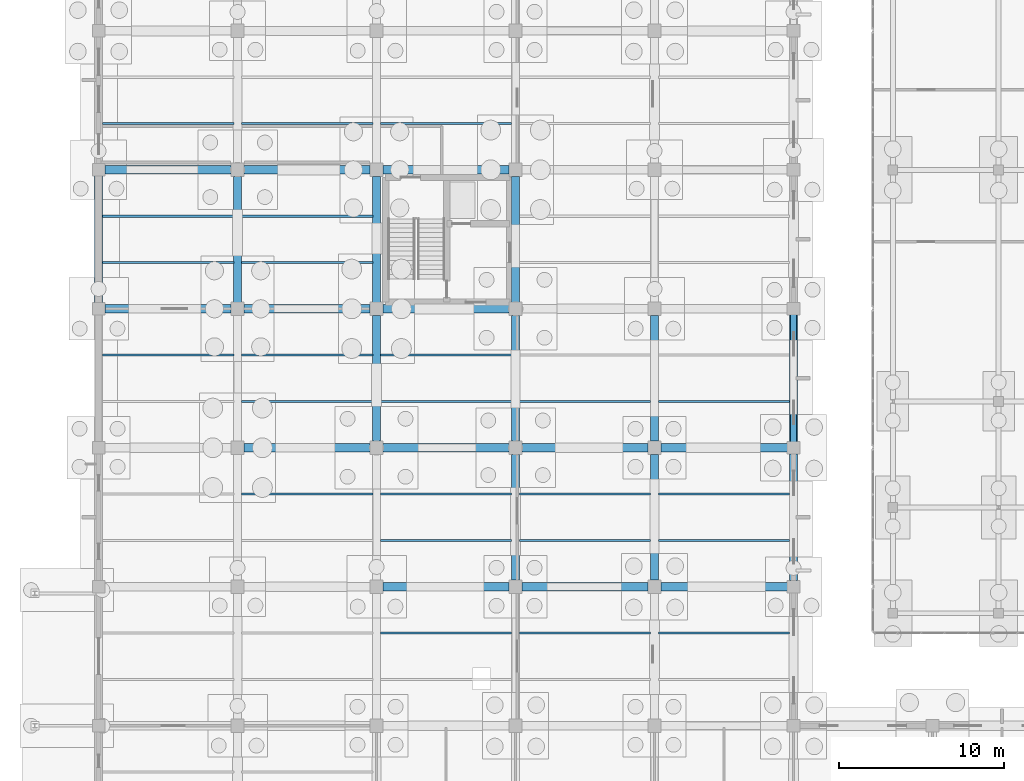
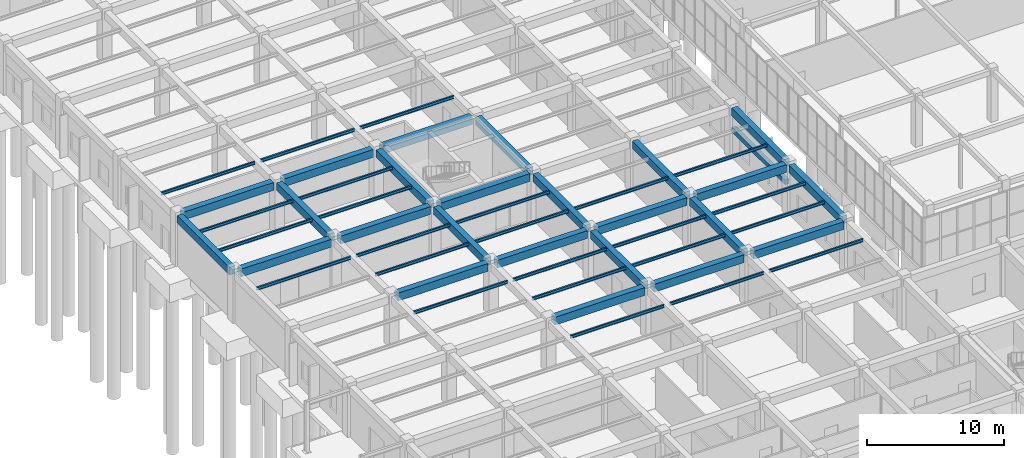
# One storey, part 49 of 192: 49 beams.
"""IFC4 building model written with IfcOpenShell, lengths in metres."""

from ifc_helpers import new_model, si_unit, direction, frame, origin, origin_2d, place, context, subcontext, project, spatial, rectangle, i_section, extrude, material, material_profile, profile_set, type_object, element, save


model = new_model("IFC4")

# Units and contexts
model_context = context("Model", 3, precision=1e-05, world=origin(), true_north=direction((0.0, 1.0)))
body_context = subcontext(model_context, "Body", "Model", "MODEL_VIEW")
ifc_project = project(units=[si_unit("LENGTHUNIT", "METRE"), si_unit("AREAUNIT", "SQUARE_METRE"), si_unit("VOLUMEUNIT", "CUBIC_METRE"), si_unit("PLANEANGLEUNIT", "RADIAN"), si_unit("MASSUNIT", "GRAM", prefix="KILO")], contexts=[model_context])

# Site, building, storey
site_placement = place(None, origin())
site = spatial("IfcSite", under=ifc_project, at=site_placement, CompositionType="ELEMENT")
building_placement = place(site_placement, origin())
building = spatial("IfcBuilding", under=site, at=building_placement, Name="Trelvath General Hospital", CompositionType="ELEMENT")
storey_placement = place(building_placement, origin())
storey = spatial("IfcBuildingStorey", under=building, at=storey_placement, Name="L00", CompositionType="ELEMENT", Elevation=0.0)

# Beams
ifc_material_1 = material(Name="Concrete C35/45", Category="concrete")
ifc_material_profile_1 = material_profile(ifc_material_1, rectangle(XDim=0.47998046875, YDim=0.679931640625, at=origin_2d()), Name="RCB480x680")
ifc_profile_set_1 = profile_set([ifc_material_profile_1], Name="Concrete C35/45")
beam_type_1 = type_object("IfcBeamType", Name="Beam RC480x680", PredefinedType="BEAM", material=ifc_profile_set_1)
beam_1_placement = place(storey_placement, frame((0.0, 50.77490234375, 4.179931640625), z_axis=(0.0, 1.0, 0.0), x_axis=(-1.0, 0.0, 0.0)))
element("IfcBeam", 1, at=beam_1_placement, inside=storey, type_object=beam_type_1, Name="Grid Beam BY-000G", PredefinedType="BEAM", context=body_context, shape_type="SweptSolid", body=[
    extrude(rectangle(XDim=0.47998046875, YDim=0.679931640625, at=origin_2d()), origin(), (0.0, 0.0, 1.0), 7.650146484375),
])
beam_2_placement = place(storey_placement, frame((8.39990234375, 50.794921875, 4.179931640625), z_axis=(0.0, 1.0, 0.0), x_axis=(-1.0, 0.0, 0.0)))
element("IfcBeam", 2, at=beam_2_placement, inside=storey, type_object=beam_type_1, Name="Grid Beam BY-001G", PredefinedType="BEAM", context=body_context, shape_type="SweptSolid", body=[
    extrude(rectangle(XDim=0.47998046875, YDim=0.679931640625, at=origin_2d()), origin(), (0.0, 0.0, 1.0), 7.610107421875),
])
beam_3_placement = place(storey_placement, frame((16.800048828125, 42.39501953125, 4.179931640625), z_axis=(0.0, 1.0, 0.0), x_axis=(-1.0, 0.0, 0.0)))
element("IfcBeam", 3, at=beam_3_placement, inside=storey, type_object=beam_type_1, Name="Grid Beam BY-002F", PredefinedType="BEAM", context=body_context, shape_type="SweptSolid", body=[
    extrude(rectangle(XDim=0.47998046875, YDim=0.679931640625, at=origin_2d()), origin(), (0.0, 0.0, 1.0), 7.60986328125),
])
beam_4_placement = place(storey_placement, frame((16.800048828125, 50.794921875, 4.179931640625), z_axis=(0.0, 1.0, 0.0), x_axis=(-1.0, 0.0, 0.0)))
element("IfcBeam", 4, at=beam_4_placement, inside=storey, type_object=beam_type_1, Name="Grid Beam BY-002G", PredefinedType="BEAM", context=body_context, shape_type="SweptSolid", body=[
    extrude(rectangle(XDim=0.47998046875, YDim=0.679931640625, at=origin_2d()), origin(), (0.0, 0.0, 1.0), 7.610107421875),
])
for number, where, z_axis, x_axis, name in (
    (5, (25.199951171875, 33.9951171875, 4.179931640625), (0.0, 1.0, 0.0), (-1.0, 0.0, 0.0), "Grid Beam BY-003E"),
    (6, (25.199951171875, 42.39501953125, 4.179931640625), (0.0, 1.0, 0.0), (-1.0, 0.0, 0.0), "Grid Beam BY-003F"),
):
    element("IfcBeam", number, at=place(storey_placement, frame(where, z_axis=z_axis, x_axis=x_axis)), inside=storey, type_object=beam_type_1, Name=name, PredefinedType="BEAM", context=body_context, shape_type="SweptSolid", body=[
        extrude(rectangle(XDim=0.47998046875, YDim=0.679931640625, at=origin_2d()), origin(), (0.0, 0.0, 1.0), 7.60986328125),
    ])
beam_5_placement = place(storey_placement, frame((25.199951171875, 50.794921875, 4.179931640625), z_axis=(0.0, 1.0, 0.0), x_axis=(-1.0, 0.0, 0.0)))
element("IfcBeam", 7, at=beam_5_placement, inside=storey, type_object=beam_type_1, Name="Grid Beam BY-003G", PredefinedType="BEAM", context=body_context, shape_type="SweptSolid", body=[
    extrude(rectangle(XDim=0.47998046875, YDim=0.679931640625, at=origin_2d()), origin(), (0.0, 0.0, 1.0), 7.610107421875),
])
for number, where, z_axis, x_axis, name in (
    (8, (33.60009765625, 33.9951171875, 4.179931640625), (0.0, 1.0, 0.0), (-1.0, 0.0, 0.0), "Grid Beam BY-004E"),
    (9, (33.60009765625, 42.39501953125, 4.179931640625), (0.0, 1.0, 0.0), (-1.0, 0.0, 0.0), "Grid Beam BY-004F"),
):
    element("IfcBeam", number, at=place(storey_placement, frame(where, z_axis=z_axis, x_axis=x_axis)), inside=storey, type_object=beam_type_1, Name=name, PredefinedType="BEAM", context=body_context, shape_type="SweptSolid", body=[
        extrude(rectangle(XDim=0.47998046875, YDim=0.679931640625, at=origin_2d()), origin(), (0.0, 0.0, 1.0), 7.60986328125),
    ])
for number, where, z_axis, x_axis, name in (
    (10, (42.0, 33.97509765625, 4.179931640625), (0.0, 1.0, 0.0), (-1.0, 0.0, 0.0), "Grid Beam BY-005E"),
    (11, (42.0, 42.375, 4.179931640625), (0.0, 1.0, 0.0), (-1.0, 0.0, 0.0), "Grid Beam BY-005F"),
):
    element("IfcBeam", number, at=place(storey_placement, frame(where, z_axis=z_axis, x_axis=x_axis)), inside=storey, type_object=beam_type_1, Name=name, PredefinedType="BEAM", context=body_context, shape_type="SweptSolid", body=[
        extrude(rectangle(XDim=0.47998046875, YDim=0.679931640625, at=origin_2d()), origin(), (0.0, 0.0, 1.0), 7.64990234375),
    ])
ifc_material_2 = material(Name="Concrete C35/45", Category="concrete")
ifc_material_profile_2 = material_profile(ifc_material_2, rectangle(XDim=0.5, YDim=0.699951171875, at=origin_2d()), Name="RCB500x700")
ifc_profile_set_2 = profile_set([ifc_material_profile_2], Name="Concrete C35/45")
beam_type_2 = type_object("IfcBeamType", Name="Beam RC500x700", PredefinedType="BEAM", material=ifc_profile_set_2)
for number, where, z_axis, x_axis, name in (
    (12, (0.375, 50.39990234375, 4.169921875), (1.0, 0.0, 0.0), (0.0, 1.0, 0.0), "Grid Beam BX-000G"),
    (13, (0.375, 58.800048828125, 4.169921875), (1.0, 0.0, 0.0), (0.0, 1.0, 0.0), "Grid Beam BX-000H"),
):
    element("IfcBeam", number, at=place(storey_placement, frame(where, z_axis=z_axis, x_axis=x_axis)), inside=storey, type_object=beam_type_2, Name=name, PredefinedType="BEAM", context=body_context, shape_type="SweptSolid", body=[
        extrude(rectangle(XDim=0.5, YDim=0.699951171875, at=origin_2d()), origin(), (0.0, 0.0, 1.0), 7.6298828125),
    ])
for number, where, z_axis, x_axis, name in (
    (14, (8.794921875, 42.0, 4.169921875), (1.0, 0.0, 0.0), (0.0, 1.0, 0.0), "Grid Beam BX-001F"),
    (15, (8.794921875, 50.39990234375, 4.169921875), (1.0, 0.0, 0.0), (0.0, 1.0, 0.0), "Grid Beam BX-001G"),
    (16, (8.794921875, 58.800048828125, 4.169921875), (1.0, 0.0, 0.0), (0.0, 1.0, 0.0), "Grid Beam BX-001H"),
):
    element("IfcBeam", number, at=place(storey_placement, frame(where, z_axis=z_axis, x_axis=x_axis)), inside=storey, type_object=beam_type_2, Name=name, PredefinedType="BEAM", context=body_context, shape_type="SweptSolid", body=[
        extrude(rectangle(XDim=0.5, YDim=0.699951171875, at=origin_2d()), origin(), (0.0, 0.0, 1.0), 7.610107421875),
    ])
for number, where, z_axis, x_axis, name in (
    (17, (17.195068359375, 33.60009765625, 4.169921875), (1.0, 0.0, 0.0), (0.0, 1.0, 0.0), "Grid Beam BX-002E"),
    (18, (17.195068359375, 42.0, 4.169921875), (1.0, 0.0, 0.0), (0.0, 1.0, 0.0), "Grid Beam BX-002F"),
    (19, (17.195068359375, 50.39990234375, 4.169921875), (1.0, 0.0, 0.0), (0.0, 1.0, 0.0), "Grid Beam BX-002G"),
    (20, (17.195068359375, 58.800048828125, 4.169921875), (1.0, 0.0, 0.0), (0.0, 1.0, 0.0), "Grid Beam BX-002H"),
):
    element("IfcBeam", number, at=place(storey_placement, frame(where, z_axis=z_axis, x_axis=x_axis)), inside=storey, type_object=beam_type_2, Name=name, PredefinedType="BEAM", context=body_context, shape_type="SweptSolid", body=[
        extrude(rectangle(XDim=0.5, YDim=0.699951171875, at=origin_2d()), origin(), (0.0, 0.0, 1.0), 7.60986328125),
    ])
for number, where, z_axis, x_axis, name in (
    (21, (25.594970703125, 33.60009765625, 4.169921875), (1.0, 0.0, 0.0), (0.0, 1.0, 0.0), "Grid Beam BX-003E"),
    (22, (25.594970703125, 42.0, 4.169921875), (1.0, 0.0, 0.0), (0.0, 1.0, 0.0), "Grid Beam BX-003F"),
):
    element("IfcBeam", number, at=place(storey_placement, frame(where, z_axis=z_axis, x_axis=x_axis)), inside=storey, type_object=beam_type_2, Name=name, PredefinedType="BEAM", context=body_context, shape_type="SweptSolid", body=[
        extrude(rectangle(XDim=0.5, YDim=0.699951171875, at=origin_2d()), origin(), (0.0, 0.0, 1.0), 7.610107421875),
    ])
for number, where, z_axis, x_axis, name in (
    (23, (33.9951171875, 33.60009765625, 4.169921875), (1.0, 0.0, 0.0), (0.0, 1.0, 0.0), "Grid Beam BX-004E"),
    (24, (33.9951171875, 42.0, 4.169921875), (1.0, 0.0, 0.0), (0.0, 1.0, 0.0), "Grid Beam BX-004F"),
):
    element("IfcBeam", number, at=place(storey_placement, frame(where, z_axis=z_axis, x_axis=x_axis)), inside=storey, type_object=beam_type_2, Name=name, PredefinedType="BEAM", context=body_context, shape_type="SweptSolid", body=[
        extrude(rectangle(XDim=0.5, YDim=0.699951171875, at=origin_2d()), origin(), (0.0, 0.0, 1.0), 7.6298828125),
    ])
ifc_material_3 = material(Name="Steel S355", Category="steel")
ifc_material_profile_3 = material_profile(ifc_material_3, i_section(OverallWidth=0.135009765625, OverallDepth=0.27001953125, WebThickness=0.006591796875, FlangeThickness=0.01025390625, at=origin_2d()), Name="IPE270")
ifc_profile_set_3 = profile_set([ifc_material_profile_3], Name="Steel S355")
beam_type_3 = type_object("IfcBeamType", Name="InterstitialJoist IPE270", PredefinedType="JOIST", material=ifc_profile_set_3)
for number, where, z_axis, x_axis, name in (
    (25, (0.22998046875, 47.60009765625, 4.385009765625), (1.0, 0.0, 0.0), (0.0, 1.0, 0.0), "Interstitial Deck Joist IJ-1-012"),
    (26, (0.22998046875, 53.199951171875, 4.385009765625), (1.0, 0.0, 0.0), (0.0, 1.0, 0.0), "Interstitial Deck Joist IJ-1-013"),
    (27, (0.22998046875, 56.0, 4.385009765625), (1.0, 0.0, 0.0), (0.0, 1.0, 0.0), "Interstitial Deck Joist IJ-1-014"),
    (28, (0.22998046875, 61.60009765625, 4.385009765625), (1.0, 0.0, 0.0), (0.0, 1.0, 0.0), "Interstitial Deck Joist IJ-1-015"),
):
    element("IfcBeam", number, at=place(storey_placement, frame(where, z_axis=z_axis, x_axis=x_axis)), inside=storey, type_object=beam_type_3, Name=name, PredefinedType="JOIST", context=body_context, shape_type="SweptSolid", body=[
        extrude(i_section(OverallWidth=0.135009765625, OverallDepth=0.27001953125, WebThickness=0.006591796875, FlangeThickness=0.01025390625, at=origin_2d()), origin(), (0.0, 0.0, 1.0), 7.93994140625),
    ])
for number, where, z_axis, x_axis, name in (
    (29, (8.6298828125, 39.199951171875, 4.385009765625), (1.0, 0.0, 0.0), (0.0, 1.0, 0.0), "Interstitial Deck Joist IJ-1-038"),
    (30, (8.6298828125, 44.800048828125, 4.385009765625), (1.0, 0.0, 0.0), (0.0, 1.0, 0.0), "Interstitial Deck Joist IJ-1-039"),
    (31, (8.6298828125, 47.60009765625, 4.385009765625), (1.0, 0.0, 0.0), (0.0, 1.0, 0.0), "Interstitial Deck Joist IJ-1-040"),
    (32, (8.6298828125, 53.199951171875, 4.385009765625), (1.0, 0.0, 0.0), (0.0, 1.0, 0.0), "Interstitial Deck Joist IJ-1-041"),
    (33, (8.6298828125, 56.0, 4.385009765625), (1.0, 0.0, 0.0), (0.0, 1.0, 0.0), "Interstitial Deck Joist IJ-1-042"),
    (34, (8.6298828125, 61.60009765625, 4.385009765625), (1.0, 0.0, 0.0), (0.0, 1.0, 0.0), "Interstitial Deck Joist IJ-1-043"),
):
    element("IfcBeam", number, at=place(storey_placement, frame(where, z_axis=z_axis, x_axis=x_axis)), inside=storey, type_object=beam_type_3, Name=name, PredefinedType="JOIST", context=body_context, shape_type="SweptSolid", body=[
        extrude(i_section(OverallWidth=0.135009765625, OverallDepth=0.27001953125, WebThickness=0.006591796875, FlangeThickness=0.01025390625, at=origin_2d()), origin(), (0.0, 0.0, 1.0), 7.940185546875),
    ])
for number, where, z_axis, x_axis, name in (
    (35, (17.030029296875, 30.800048828125, 4.385009765625), (1.0, 0.0, 0.0), (0.0, 1.0, 0.0), "Interstitial Deck Joist IJ-1-058"),
    (36, (17.030029296875, 36.39990234375, 4.385009765625), (1.0, 0.0, 0.0), (0.0, 1.0, 0.0), "Interstitial Deck Joist IJ-1-059"),
    (37, (17.030029296875, 39.199951171875, 4.385009765625), (1.0, 0.0, 0.0), (0.0, 1.0, 0.0), "Interstitial Deck Joist IJ-1-060"),
    (38, (17.030029296875, 44.800048828125, 4.385009765625), (1.0, 0.0, 0.0), (0.0, 1.0, 0.0), "Interstitial Deck Joist IJ-1-061"),
    (39, (17.030029296875, 47.60009765625, 4.385009765625), (1.0, 0.0, 0.0), (0.0, 1.0, 0.0), "Interstitial Deck Joist IJ-1-062"),
    (40, (17.030029296875, 61.60009765625, 4.385009765625), (1.0, 0.0, 0.0), (0.0, 1.0, 0.0), "Interstitial Deck Joist IJ-1-063"),
):
    element("IfcBeam", number, at=place(storey_placement, frame(where, z_axis=z_axis, x_axis=x_axis)), inside=storey, type_object=beam_type_3, Name=name, PredefinedType="JOIST", context=body_context, shape_type="SweptSolid", body=[
        extrude(i_section(OverallWidth=0.135009765625, OverallDepth=0.27001953125, WebThickness=0.006591796875, FlangeThickness=0.01025390625, at=origin_2d()), origin(), (0.0, 0.0, 1.0), 7.93994140625),
    ])
for number, where, z_axis, x_axis, name in (
    (41, (25.429931640625, 30.800048828125, 4.385009765625), (1.0, 0.0, 0.0), (0.0, 1.0, 0.0), "Interstitial Deck Joist IJ-1-072"),
    (42, (25.429931640625, 36.39990234375, 4.385009765625), (1.0, 0.0, 0.0), (0.0, 1.0, 0.0), "Interstitial Deck Joist IJ-1-073"),
    (43, (25.429931640625, 39.199951171875, 4.385009765625), (1.0, 0.0, 0.0), (0.0, 1.0, 0.0), "Interstitial Deck Joist IJ-1-074"),
    (44, (25.429931640625, 44.800048828125, 4.385009765625), (1.0, 0.0, 0.0), (0.0, 1.0, 0.0), "Interstitial Deck Joist IJ-1-075"),
):
    element("IfcBeam", number, at=place(storey_placement, frame(where, z_axis=z_axis, x_axis=x_axis)), inside=storey, type_object=beam_type_3, Name=name, PredefinedType="JOIST", context=body_context, shape_type="SweptSolid", body=[
        extrude(i_section(OverallWidth=0.135009765625, OverallDepth=0.27001953125, WebThickness=0.006591796875, FlangeThickness=0.01025390625, at=origin_2d()), origin(), (0.0, 0.0, 1.0), 7.940185546875),
    ])
for number, where, z_axis, x_axis, name in (
    (45, (33.830078125, 30.800048828125, 4.385009765625), (1.0, 0.0, 0.0), (0.0, 1.0, 0.0), "Interstitial Deck Joist IJ-1-088"),
    (46, (33.830078125, 36.39990234375, 4.385009765625), (1.0, 0.0, 0.0), (0.0, 1.0, 0.0), "Interstitial Deck Joist IJ-1-089"),
    (47, (33.830078125, 39.199951171875, 4.385009765625), (1.0, 0.0, 0.0), (0.0, 1.0, 0.0), "Interstitial Deck Joist IJ-1-090"),
    (48, (33.830078125, 44.800048828125, 4.385009765625), (1.0, 0.0, 0.0), (0.0, 1.0, 0.0), "Interstitial Deck Joist IJ-1-091"),
):
    element("IfcBeam", number, at=place(storey_placement, frame(where, z_axis=z_axis, x_axis=x_axis)), inside=storey, type_object=beam_type_3, Name=name, PredefinedType="JOIST", context=body_context, shape_type="SweptSolid", body=[
        extrude(i_section(OverallWidth=0.135009765625, OverallDepth=0.27001953125, WebThickness=0.006591796875, FlangeThickness=0.01025390625, at=origin_2d()), origin(), (0.0, 0.0, 1.0), 7.93994140625),
    ])
ifc_material_4 = material(Name="Precast concrete C40/50", Category="concrete")
ifc_material_profile_4 = material_profile(ifc_material_4, rectangle(XDim=0.35009765625, YDim=0.419921875, at=origin_2d()), Name="PCL350x420")
ifc_profile_set_4 = profile_set([ifc_material_profile_4], Name="Precast concrete C40/50")
beam_type_4 = type_object("IfcBeamType", Name="Lintel PC350x420", PredefinedType="LINTEL", material=ifc_profile_set_4)
beam_6_placement = place(storey_placement, frame((42.0, 50.10498046875, 2.52001953125), z_axis=(0.0, -1.0, 0.0), x_axis=(1.0, 0.0, 0.0)))
element("IfcBeam", 49, at=beam_6_placement, inside=storey, type_object=beam_type_4, Name="Precast Window Brow Lintel L00-26", PredefinedType="LINTEL", context=body_context, shape_type="SweptSolid", body=[
    extrude(rectangle(XDim=0.35009765625, YDim=0.419921875, at=origin_2d()), origin(), (0.0, 0.0, 1.0), 7.81005859375),
])

save(model, "model.ifc")
